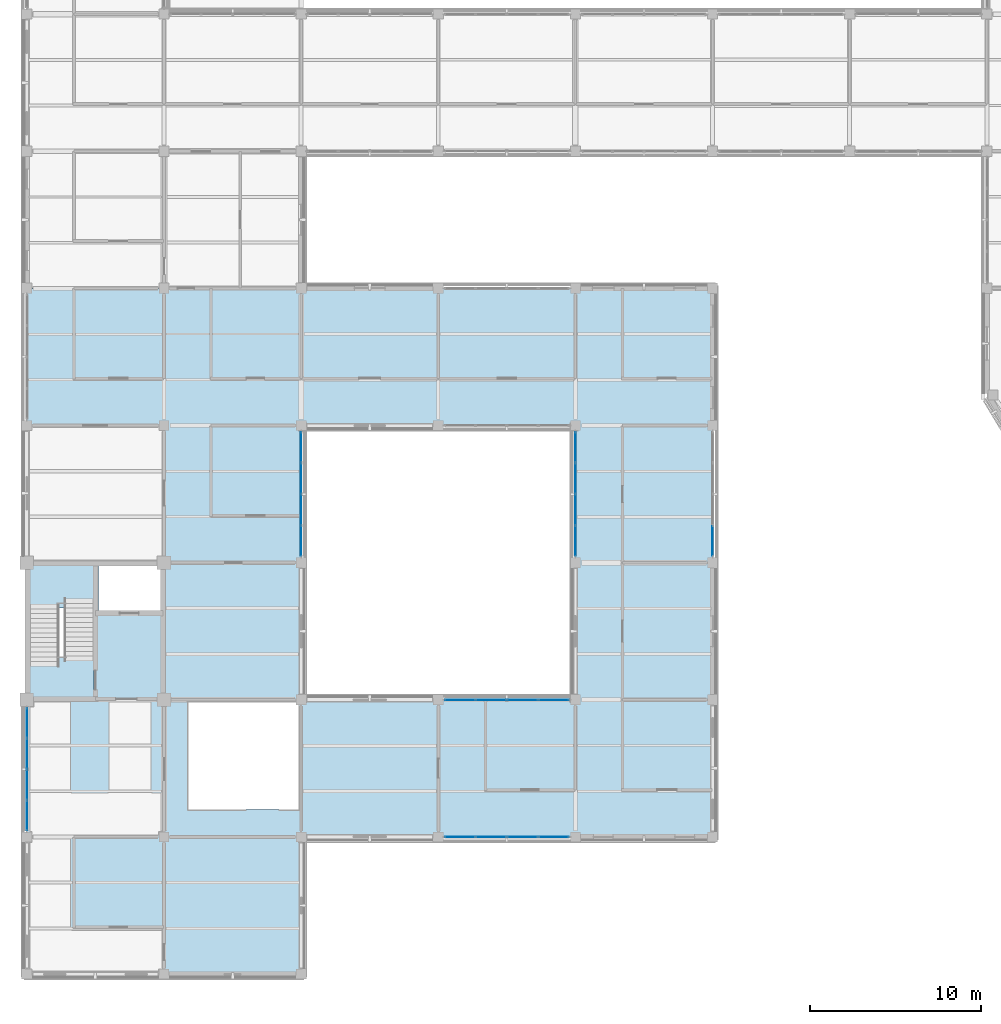
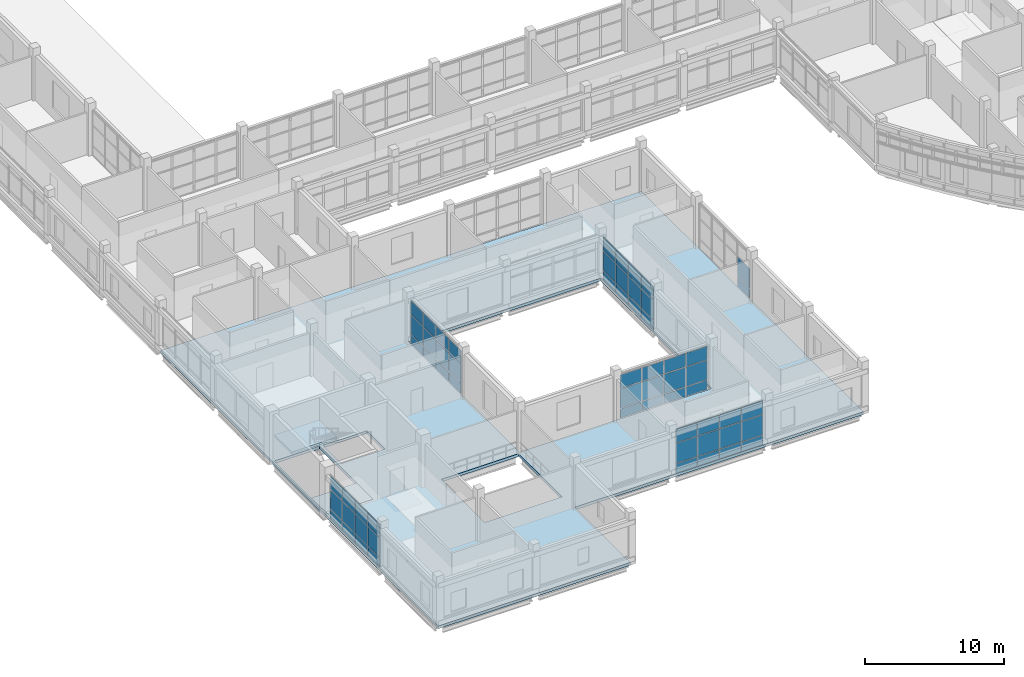
# One storey, part 60 of 121: 62 plates, 3 slabs, 7 elements without a shape of their own.
"""IFC4 building model written with IfcOpenShell, lengths in metres."""

from ifc_helpers import new_model, si_unit, derived_unit, direction, frame, origin, origin_2d, place, context, subcontext, project, spatial, polyline, rectangle, outline, extrude, material, layer, layer_set, type_object, element, aggregate, save


model = new_model("IFC4")

# Units and contexts
model_context = context("Model", 3, precision=1e-05, world=origin(), true_north=direction((0.0, 1.0)))
body_context = subcontext(model_context, "Body", "Model", "MODEL_VIEW")
ifc_project = project(units=[si_unit("LENGTHUNIT", "METRE"), si_unit("AREAUNIT", "SQUARE_METRE"), si_unit("VOLUMEUNIT", "CUBIC_METRE"), si_unit("PLANEANGLEUNIT", "RADIAN"), si_unit("MASSUNIT", "GRAM", prefix="KILO"), derived_unit("THERMALTRANSMITTANCEUNIT", [(si_unit("MASSUNIT", "GRAM", prefix="KILO"), 1), (si_unit("TIMEUNIT", "SECOND"), -3), (si_unit("THERMODYNAMICTEMPERATUREUNIT", "KELVIN"), -1)])], contexts=[model_context])

# Site, building, storey
site_placement = place(None, origin())
site = spatial("IfcSite", under=ifc_project, at=site_placement, CompositionType="ELEMENT")
building_placement = place(site_placement, origin())
building = spatial("IfcBuilding", under=site, at=building_placement, Name="Veyamyaing Civic Hall", CompositionType="ELEMENT")
storey_placement = place(building_placement, frame((0.0, 0.0, 5.280029296875)))
storey = spatial("IfcBuildingStorey", under=building, at=storey_placement, Name="L01", CompositionType="ELEMENT", Elevation=5.280029296875)

# Curtain wall, plates
ifc_material_1 = material(Name="Anodised aluminium 6063-T6", Category="aluminium")
ifc_layer_1 = layer(ifc_material_1, 0.159912109375, Name="Anodised aluminium 6063-T6")
ifc_layer_set_1 = layer_set([ifc_layer_1], Name="Anodised aluminium 6063-T6")
curtain_wall_type = type_object("IfcCurtainWallType", Name="CW-02", PredefinedType="NOTDEFINED", material=ifc_layer_set_1)
curtain_wall_1_placement = place(storey_placement, origin())
curtain_wall_1 = element("IfcCurtainWall", 1, at=curtain_wall_1_placement, inside=storey, type_object=curtain_wall_type, Name="Unitized curtain wall CW-02 L01 E 2.4", PredefinedType="NOTDEFINED")
ifc_material_2 = material(Name="Low-E insulated glass", Category="glass")
ifc_layer_2 = layer(ifc_material_2, 0.028076171875, Name="Low-E insulated glass")
ifc_layer_set_2 = layer_set([ifc_layer_2], Name="Low-E insulated glass")
plate_type_1 = type_object("IfcPlateType", Name="CWP-01", PredefinedType="CURTAIN_PANEL", material=ifc_layer_set_2)
plate_1_placement = place(storey_placement, frame((16.0, 25.263671875, 0.06494140625), z_axis=(0.0, 0.0, 1.0), x_axis=(0.0, 1.0, 0.0)))
plate_1 = element("IfcPlate", 2, at=plate_1_placement, type_object=plate_type_1, Name="CW-02 panel 1.1", PredefinedType="CURTAIN_PANEL", context=body_context, shape_type="SweptSolid", body=[
    extrude(rectangle(XDim=1.737548828125, YDim=0.028076171875, at=origin_2d()), origin(), (0.0, 0.0, 1.0), 0.802490234375),
])
plate_2_placement = place(storey_placement, frame((16.0, 25.263671875, 0.9326171875), z_axis=(0.0, 0.0, 1.0), x_axis=(0.0, 1.0, 0.0)))
plate_2 = element("IfcPlate", 3, at=plate_2_placement, type_object=plate_type_1, Name="CW-02 panel 1.2", PredefinedType="CURTAIN_PANEL", context=body_context, shape_type="SweptSolid", body=[
    extrude(rectangle(XDim=1.737548828125, YDim=0.028076171875, at=origin_2d()), origin(), (0.0, 0.0, 1.0), 1.696533203125),
])
plate_3_placement = place(storey_placement, frame((16.0, 25.263671875, 2.69384765625), z_axis=(0.0, 0.0, 1.0), x_axis=(0.0, 1.0, 0.0)))
plate_3 = element("IfcPlate", 4, at=plate_3_placement, type_object=plate_type_1, Name="CW-02 panel 1.3", PredefinedType="CURTAIN_PANEL", context=body_context, shape_type="SweptSolid", body=[
    extrude(rectangle(XDim=1.737548828125, YDim=0.028076171875, at=origin_2d()), origin(), (0.0, 0.0, 1.0), 1.155029296875),
])
plate_4_placement = place(storey_placement, frame((16.0, 27.08251953125, 0.06494140625), z_axis=(0.0, 0.0, 1.0), x_axis=(0.0, 1.0, 0.0)))
plate_4 = element("IfcPlate", 5, at=plate_4_placement, type_object=plate_type_1, Name="CW-02 panel 2.1", PredefinedType="CURTAIN_PANEL", context=body_context, shape_type="SweptSolid", body=[
    extrude(rectangle(XDim=1.77001953125, YDim=0.028076171875, at=origin_2d()), origin(), (0.0, 0.0, 1.0), 0.802490234375),
])
plate_5_placement = place(storey_placement, frame((16.0, 27.08251953125, 0.9326171875), z_axis=(0.0, 0.0, 1.0), x_axis=(0.0, 1.0, 0.0)))
plate_5 = element("IfcPlate", 6, at=plate_5_placement, type_object=plate_type_1, Name="CW-02 panel 2.2", PredefinedType="CURTAIN_PANEL", context=body_context, shape_type="SweptSolid", body=[
    extrude(rectangle(XDim=1.77001953125, YDim=0.028076171875, at=origin_2d()), origin(), (0.0, 0.0, 1.0), 1.696533203125),
])
plate_6_placement = place(storey_placement, frame((16.0, 27.08251953125, 2.69384765625), z_axis=(0.0, 0.0, 1.0), x_axis=(0.0, 1.0, 0.0)))
plate_6 = element("IfcPlate", 7, at=plate_6_placement, type_object=plate_type_1, Name="CW-02 panel 2.3", PredefinedType="CURTAIN_PANEL", context=body_context, shape_type="SweptSolid", body=[
    extrude(rectangle(XDim=1.77001953125, YDim=0.028076171875, at=origin_2d()), origin(), (0.0, 0.0, 1.0), 1.155029296875),
])
plate_7_placement = place(storey_placement, frame((16.0, 28.91748046875, 0.06494140625), z_axis=(0.0, 0.0, 1.0), x_axis=(0.0, 1.0, 0.0)))
plate_7 = element("IfcPlate", 8, at=plate_7_placement, type_object=plate_type_1, Name="CW-02 panel 3.1", PredefinedType="CURTAIN_PANEL", context=body_context, shape_type="SweptSolid", body=[
    extrude(rectangle(XDim=1.77001953125, YDim=0.028076171875, at=origin_2d()), origin(), (0.0, 0.0, 1.0), 0.802490234375),
])
plate_8_placement = place(storey_placement, frame((16.0, 28.91748046875, 0.9326171875), z_axis=(0.0, 0.0, 1.0), x_axis=(0.0, 1.0, 0.0)))
plate_8 = element("IfcPlate", 9, at=plate_8_placement, type_object=plate_type_1, Name="CW-02 panel 3.2", PredefinedType="CURTAIN_PANEL", context=body_context, shape_type="SweptSolid", body=[
    extrude(rectangle(XDim=1.77001953125, YDim=0.028076171875, at=origin_2d()), origin(), (0.0, 0.0, 1.0), 1.696533203125),
])
plate_9_placement = place(storey_placement, frame((16.0, 28.91748046875, 2.69384765625), z_axis=(0.0, 0.0, 1.0), x_axis=(0.0, 1.0, 0.0)))
plate_9 = element("IfcPlate", 10, at=plate_9_placement, type_object=plate_type_1, Name="CW-02 panel 3.3", PredefinedType="CURTAIN_PANEL", context=body_context, shape_type="SweptSolid", body=[
    extrude(rectangle(XDim=1.77001953125, YDim=0.028076171875, at=origin_2d()), origin(), (0.0, 0.0, 1.0), 1.155029296875),
])
plate_10_placement = place(storey_placement, frame((16.0, 30.736328125, 0.06494140625), z_axis=(0.0, 0.0, 1.0), x_axis=(0.0, 1.0, 0.0)))
plate_10 = element("IfcPlate", 11, at=plate_10_placement, type_object=plate_type_1, Name="CW-02 panel 4.1", PredefinedType="CURTAIN_PANEL", context=body_context, shape_type="SweptSolid", body=[
    extrude(rectangle(XDim=1.737548828125, YDim=0.028076171875, at=origin_2d()), origin(), (0.0, 0.0, 1.0), 0.802490234375),
])
plate_11_placement = place(storey_placement, frame((16.0, 30.736328125, 0.9326171875), z_axis=(0.0, 0.0, 1.0), x_axis=(0.0, 1.0, 0.0)))
plate_11 = element("IfcPlate", 12, at=plate_11_placement, type_object=plate_type_1, Name="CW-02 panel 4.2", PredefinedType="CURTAIN_PANEL", context=body_context, shape_type="SweptSolid", body=[
    extrude(rectangle(XDim=1.737548828125, YDim=0.028076171875, at=origin_2d()), origin(), (0.0, 0.0, 1.0), 1.696533203125),
])
plate_12_placement = place(storey_placement, frame((16.0, 30.736328125, 2.69384765625), z_axis=(0.0, 0.0, 1.0), x_axis=(0.0, 1.0, 0.0)))
plate_12 = element("IfcPlate", 13, at=plate_12_placement, type_object=plate_type_1, Name="CW-02 panel 4.3", PredefinedType="CURTAIN_PANEL", context=body_context, shape_type="SweptSolid", body=[
    extrude(rectangle(XDim=1.737548828125, YDim=0.028076171875, at=origin_2d()), origin(), (0.0, 0.0, 1.0), 1.155029296875),
])
aggregate(curtain_wall_1, [plate_1, plate_2, plate_3, plate_4, plate_5, plate_6, plate_7, plate_8, plate_9, plate_10, plate_11, plate_12])

curtain_wall_2_placement = place(storey_placement, origin())
curtain_wall_2 = element("IfcCurtainWall", 14, at=curtain_wall_2_placement, inside=storey, type_object=curtain_wall_type, Name="Unitized curtain wall CW-02 L01 S 4.2", PredefinedType="NOTDEFINED")
plate_13_placement = place(storey_placement, frame((25.263671875, 8.0, 0.06494140625), z_axis=(0.0, 0.0, 1.0), x_axis=(1.0, 0.0, 0.0)))
plate_13 = element("IfcPlate", 15, at=plate_13_placement, type_object=plate_type_1, Name="CW-02 panel 1.1", PredefinedType="CURTAIN_PANEL", context=body_context, shape_type="SweptSolid", body=[
    extrude(rectangle(XDim=1.737548828125, YDim=0.028076171875, at=origin_2d()), origin(), (0.0, 0.0, 1.0), 0.802490234375),
])
plate_14_placement = place(storey_placement, frame((25.263671875, 8.0, 0.932373046875), z_axis=(0.0, 0.0, 1.0), x_axis=(1.0, 0.0, 0.0)))
plate_14 = element("IfcPlate", 16, at=plate_14_placement, type_object=plate_type_1, Name="CW-02 panel 1.2", PredefinedType="CURTAIN_PANEL", context=body_context, shape_type="SweptSolid", body=[
    extrude(rectangle(XDim=1.737548828125, YDim=0.028076171875, at=origin_2d()), origin(), (0.0, 0.0, 1.0), 1.7373046875),
])
plate_15_placement = place(storey_placement, frame((25.263671875, 8.0, 2.734619140625), z_axis=(0.0, 0.0, 1.0), x_axis=(1.0, 0.0, 0.0)))
plate_15 = element("IfcPlate", 17, at=plate_15_placement, type_object=plate_type_1, Name="CW-02 panel 1.3", PredefinedType="CURTAIN_PANEL", context=body_context, shape_type="SweptSolid", body=[
    extrude(rectangle(XDim=1.737548828125, YDim=0.028076171875, at=origin_2d()), origin(), (0.0, 0.0, 1.0), 1.17431640625),
])
plate_16_placement = place(storey_placement, frame((27.08251953125, 8.0, 0.06494140625), z_axis=(0.0, 0.0, 1.0), x_axis=(1.0, 0.0, 0.0)))
plate_16 = element("IfcPlate", 18, at=plate_16_placement, type_object=plate_type_1, Name="CW-02 panel 2.1", PredefinedType="CURTAIN_PANEL", context=body_context, shape_type="SweptSolid", body=[
    extrude(rectangle(XDim=1.77001953125, YDim=0.028076171875, at=origin_2d()), origin(), (0.0, 0.0, 1.0), 0.802490234375),
])
plate_17_placement = place(storey_placement, frame((27.08251953125, 8.0, 0.932373046875), z_axis=(0.0, 0.0, 1.0), x_axis=(1.0, 0.0, 0.0)))
plate_17 = element("IfcPlate", 19, at=plate_17_placement, type_object=plate_type_1, Name="CW-02 panel 2.2", PredefinedType="CURTAIN_PANEL", context=body_context, shape_type="SweptSolid", body=[
    extrude(rectangle(XDim=1.77001953125, YDim=0.028076171875, at=origin_2d()), origin(), (0.0, 0.0, 1.0), 1.7373046875),
])
plate_18_placement = place(storey_placement, frame((27.08251953125, 8.0, 2.734619140625), z_axis=(0.0, 0.0, 1.0), x_axis=(1.0, 0.0, 0.0)))
plate_18 = element("IfcPlate", 20, at=plate_18_placement, type_object=plate_type_1, Name="CW-02 panel 2.3", PredefinedType="CURTAIN_PANEL", context=body_context, shape_type="SweptSolid", body=[
    extrude(rectangle(XDim=1.77001953125, YDim=0.028076171875, at=origin_2d()), origin(), (0.0, 0.0, 1.0), 1.17431640625),
])
plate_19_placement = place(storey_placement, frame((28.91748046875, 8.0, 0.06494140625), z_axis=(0.0, 0.0, 1.0), x_axis=(1.0, 0.0, 0.0)))
plate_19 = element("IfcPlate", 21, at=plate_19_placement, type_object=plate_type_1, Name="CW-02 panel 3.1", PredefinedType="CURTAIN_PANEL", context=body_context, shape_type="SweptSolid", body=[
    extrude(rectangle(XDim=1.77001953125, YDim=0.028076171875, at=origin_2d()), origin(), (0.0, 0.0, 1.0), 0.802490234375),
])
plate_20_placement = place(storey_placement, frame((28.91748046875, 8.0, 0.932373046875), z_axis=(0.0, 0.0, 1.0), x_axis=(1.0, 0.0, 0.0)))
plate_20 = element("IfcPlate", 22, at=plate_20_placement, type_object=plate_type_1, Name="CW-02 panel 3.2", PredefinedType="CURTAIN_PANEL", context=body_context, shape_type="SweptSolid", body=[
    extrude(rectangle(XDim=1.77001953125, YDim=0.028076171875, at=origin_2d()), origin(), (0.0, 0.0, 1.0), 1.7373046875),
])
plate_21_placement = place(storey_placement, frame((28.91748046875, 8.0, 2.734619140625), z_axis=(0.0, 0.0, 1.0), x_axis=(1.0, 0.0, 0.0)))
plate_21 = element("IfcPlate", 23, at=plate_21_placement, type_object=plate_type_1, Name="CW-02 panel 3.3", PredefinedType="CURTAIN_PANEL", context=body_context, shape_type="SweptSolid", body=[
    extrude(rectangle(XDim=1.77001953125, YDim=0.028076171875, at=origin_2d()), origin(), (0.0, 0.0, 1.0), 1.17431640625),
])
plate_22_placement = place(storey_placement, frame((30.736328125, 8.0, 0.06494140625), z_axis=(0.0, 0.0, 1.0), x_axis=(1.0, 0.0, 0.0)))
plate_22 = element("IfcPlate", 24, at=plate_22_placement, type_object=plate_type_1, Name="CW-02 panel 4.1", PredefinedType="CURTAIN_PANEL", context=body_context, shape_type="SweptSolid", body=[
    extrude(rectangle(XDim=1.737548828125, YDim=0.028076171875, at=origin_2d()), origin(), (0.0, 0.0, 1.0), 0.802490234375),
])
plate_23_placement = place(storey_placement, frame((30.736328125, 8.0, 0.932373046875), z_axis=(0.0, 0.0, 1.0), x_axis=(1.0, 0.0, 0.0)))
plate_23 = element("IfcPlate", 25, at=plate_23_placement, type_object=plate_type_1, Name="CW-02 panel 4.2", PredefinedType="CURTAIN_PANEL", context=body_context, shape_type="SweptSolid", body=[
    extrude(rectangle(XDim=1.737548828125, YDim=0.028076171875, at=origin_2d()), origin(), (0.0, 0.0, 1.0), 1.7373046875),
])
plate_24_placement = place(storey_placement, frame((30.736328125, 8.0, 2.734619140625), z_axis=(0.0, 0.0, 1.0), x_axis=(1.0, 0.0, 0.0)))
plate_24 = element("IfcPlate", 26, at=plate_24_placement, type_object=plate_type_1, Name="CW-02 panel 4.3", PredefinedType="CURTAIN_PANEL", context=body_context, shape_type="SweptSolid", body=[
    extrude(rectangle(XDim=1.737548828125, YDim=0.028076171875, at=origin_2d()), origin(), (0.0, 0.0, 1.0), 1.17431640625),
])
aggregate(curtain_wall_2, [plate_13, plate_14, plate_15, plate_16, plate_17, plate_18, plate_19, plate_20, plate_21, plate_22, plate_23, plate_24])

curtain_wall_3_placement = place(storey_placement, origin())
curtain_wall_3 = element("IfcCurtainWall", 27, at=curtain_wall_3_placement, inside=storey, type_object=curtain_wall_type, Name="Unitized curtain wall CW-02 L01 N 4.2", PredefinedType="NOTDEFINED")
plate_25_placement = place(storey_placement, frame((25.263671875, 16.0, 0.06494140625), z_axis=(0.0, 0.0, 1.0), x_axis=(1.0, 0.0, 0.0)))
plate_25 = element("IfcPlate", 28, at=plate_25_placement, type_object=plate_type_1, Name="CW-02 panel 1.1", PredefinedType="CURTAIN_PANEL", context=body_context, shape_type="SweptSolid", body=[
    extrude(rectangle(XDim=1.737548828125, YDim=0.028076171875, at=origin_2d()), origin(), (0.0, 0.0, 1.0), 0.802490234375),
])
plate_26_placement = place(storey_placement, frame((25.263671875, 16.0, 0.9326171875), z_axis=(0.0, 0.0, 1.0), x_axis=(1.0, 0.0, 0.0)))
plate_26 = element("IfcPlate", 29, at=plate_26_placement, type_object=plate_type_1, Name="CW-02 panel 1.2", PredefinedType="CURTAIN_PANEL", context=body_context, shape_type="SweptSolid", body=[
    extrude(rectangle(XDim=1.737548828125, YDim=0.028076171875, at=origin_2d()), origin(), (0.0, 0.0, 1.0), 1.696533203125),
])
plate_27_placement = place(storey_placement, frame((25.263671875, 16.0, 2.69384765625), z_axis=(0.0, 0.0, 1.0), x_axis=(1.0, 0.0, 0.0)))
plate_27 = element("IfcPlate", 30, at=plate_27_placement, type_object=plate_type_1, Name="CW-02 panel 1.3", PredefinedType="CURTAIN_PANEL", context=body_context, shape_type="SweptSolid", body=[
    extrude(rectangle(XDim=1.737548828125, YDim=0.028076171875, at=origin_2d()), origin(), (0.0, 0.0, 1.0), 1.155029296875),
])
plate_28_placement = place(storey_placement, frame((27.08251953125, 16.0, 0.06494140625), z_axis=(0.0, 0.0, 1.0), x_axis=(1.0, 0.0, 0.0)))
plate_28 = element("IfcPlate", 31, at=plate_28_placement, type_object=plate_type_1, Name="CW-02 panel 2.1", PredefinedType="CURTAIN_PANEL", context=body_context, shape_type="SweptSolid", body=[
    extrude(rectangle(XDim=1.77001953125, YDim=0.028076171875, at=origin_2d()), origin(), (0.0, 0.0, 1.0), 0.802490234375),
])
plate_29_placement = place(storey_placement, frame((27.08251953125, 16.0, 0.9326171875), z_axis=(0.0, 0.0, 1.0), x_axis=(1.0, 0.0, 0.0)))
plate_29 = element("IfcPlate", 32, at=plate_29_placement, type_object=plate_type_1, Name="CW-02 panel 2.2", PredefinedType="CURTAIN_PANEL", context=body_context, shape_type="SweptSolid", body=[
    extrude(rectangle(XDim=1.77001953125, YDim=0.028076171875, at=origin_2d()), origin(), (0.0, 0.0, 1.0), 1.696533203125),
])
plate_30_placement = place(storey_placement, frame((27.08251953125, 16.0, 2.69384765625), z_axis=(0.0, 0.0, 1.0), x_axis=(1.0, 0.0, 0.0)))
plate_30 = element("IfcPlate", 33, at=plate_30_placement, type_object=plate_type_1, Name="CW-02 panel 2.3", PredefinedType="CURTAIN_PANEL", context=body_context, shape_type="SweptSolid", body=[
    extrude(rectangle(XDim=1.77001953125, YDim=0.028076171875, at=origin_2d()), origin(), (0.0, 0.0, 1.0), 1.155029296875),
])
plate_31_placement = place(storey_placement, frame((28.91748046875, 16.0, 0.06494140625), z_axis=(0.0, 0.0, 1.0), x_axis=(1.0, 0.0, 0.0)))
plate_31 = element("IfcPlate", 34, at=plate_31_placement, type_object=plate_type_1, Name="CW-02 panel 3.1", PredefinedType="CURTAIN_PANEL", context=body_context, shape_type="SweptSolid", body=[
    extrude(rectangle(XDim=1.77001953125, YDim=0.028076171875, at=origin_2d()), origin(), (0.0, 0.0, 1.0), 0.802490234375),
])
plate_32_placement = place(storey_placement, frame((28.91748046875, 16.0, 0.9326171875), z_axis=(0.0, 0.0, 1.0), x_axis=(1.0, 0.0, 0.0)))
plate_32 = element("IfcPlate", 35, at=plate_32_placement, type_object=plate_type_1, Name="CW-02 panel 3.2", PredefinedType="CURTAIN_PANEL", context=body_context, shape_type="SweptSolid", body=[
    extrude(rectangle(XDim=1.77001953125, YDim=0.028076171875, at=origin_2d()), origin(), (0.0, 0.0, 1.0), 1.696533203125),
])
plate_33_placement = place(storey_placement, frame((28.91748046875, 16.0, 2.69384765625), z_axis=(0.0, 0.0, 1.0), x_axis=(1.0, 0.0, 0.0)))
plate_33 = element("IfcPlate", 36, at=plate_33_placement, type_object=plate_type_1, Name="CW-02 panel 3.3", PredefinedType="CURTAIN_PANEL", context=body_context, shape_type="SweptSolid", body=[
    extrude(rectangle(XDim=1.77001953125, YDim=0.028076171875, at=origin_2d()), origin(), (0.0, 0.0, 1.0), 1.155029296875),
])
plate_34_placement = place(storey_placement, frame((30.736328125, 16.0, 0.06494140625), z_axis=(0.0, 0.0, 1.0), x_axis=(1.0, 0.0, 0.0)))
plate_34 = element("IfcPlate", 37, at=plate_34_placement, type_object=plate_type_1, Name="CW-02 panel 4.1", PredefinedType="CURTAIN_PANEL", context=body_context, shape_type="SweptSolid", body=[
    extrude(rectangle(XDim=1.737548828125, YDim=0.028076171875, at=origin_2d()), origin(), (0.0, 0.0, 1.0), 0.802490234375),
])
plate_35_placement = place(storey_placement, frame((30.736328125, 16.0, 0.9326171875), z_axis=(0.0, 0.0, 1.0), x_axis=(1.0, 0.0, 0.0)))
plate_35 = element("IfcPlate", 38, at=plate_35_placement, type_object=plate_type_1, Name="CW-02 panel 4.2", PredefinedType="CURTAIN_PANEL", context=body_context, shape_type="SweptSolid", body=[
    extrude(rectangle(XDim=1.737548828125, YDim=0.028076171875, at=origin_2d()), origin(), (0.0, 0.0, 1.0), 1.696533203125),
])
plate_36_placement = place(storey_placement, frame((30.736328125, 16.0, 2.69384765625), z_axis=(0.0, 0.0, 1.0), x_axis=(1.0, 0.0, 0.0)))
plate_36 = element("IfcPlate", 39, at=plate_36_placement, type_object=plate_type_1, Name="CW-02 panel 4.3", PredefinedType="CURTAIN_PANEL", context=body_context, shape_type="SweptSolid", body=[
    extrude(rectangle(XDim=1.737548828125, YDim=0.028076171875, at=origin_2d()), origin(), (0.0, 0.0, 1.0), 1.155029296875),
])
aggregate(curtain_wall_3, [plate_25, plate_26, plate_27, plate_28, plate_29, plate_30, plate_31, plate_32, plate_33, plate_34, plate_35, plate_36])

curtain_wall_4_placement = place(storey_placement, origin())
curtain_wall_4 = element("IfcCurtainWall", 40, at=curtain_wall_4_placement, inside=storey, type_object=curtain_wall_type, Name="Unitized curtain wall CW-02 L01 W 1.2", PredefinedType="NOTDEFINED")
ifc_layer_3 = layer(ifc_material_2, 0.02392578125, Name="Low-E insulated glass")
ifc_layer_set_3 = layer_set([ifc_layer_3], Name="Low-E insulated glass")
plate_type_2 = type_object("IfcPlateType", Name="CWP-04", PredefinedType="CURTAIN_PANEL", material=ifc_layer_set_3)
plate_37_placement = place(storey_placement, frame((0.0, 9.251220703125, 0.06494140625), z_axis=(0.0, 0.0, 1.0), x_axis=(0.0, 1.0, 0.0)))
plate_37 = element("IfcPlate", 41, at=plate_37_placement, type_object=plate_type_2, Name="CW-02 panel 1.1", PredefinedType="CURTAIN_PANEL", context=body_context, shape_type="SweptSolid", body=[
    extrude(rectangle(XDim=1.71240234375, YDim=0.02392578125, at=origin_2d()), origin(), (0.0, 0.0, 1.0), 0.802490234375),
])
plate_38_placement = place(storey_placement, frame((0.0, 9.251220703125, 0.9326171875), z_axis=(0.0, 0.0, 1.0), x_axis=(0.0, 1.0, 0.0)))
plate_38 = element("IfcPlate", 42, at=plate_38_placement, type_object=plate_type_2, Name="CW-02 panel 1.2", PredefinedType="CURTAIN_PANEL", context=body_context, shape_type="SweptSolid", body=[
    extrude(rectangle(XDim=1.71240234375, YDim=0.02392578125, at=origin_2d()), origin(), (0.0, 0.0, 1.0), 1.696533203125),
])
plate_39_placement = place(storey_placement, frame((0.0, 9.251220703125, 2.69384765625), z_axis=(0.0, 0.0, 1.0), x_axis=(0.0, 1.0, 0.0)))
plate_39 = element("IfcPlate", 43, at=plate_39_placement, type_object=plate_type_2, Name="CW-02 panel 1.3", PredefinedType="CURTAIN_PANEL", context=body_context, shape_type="SweptSolid", body=[
    extrude(rectangle(XDim=1.71240234375, YDim=0.02392578125, at=origin_2d()), origin(), (0.0, 0.0, 1.0), 1.155029296875),
])
plate_40_placement = place(storey_placement, frame((0.0, 11.044921875, 0.06494140625), z_axis=(0.0, 0.0, 1.0), x_axis=(0.0, 1.0, 0.0)))
plate_40 = element("IfcPlate", 44, at=plate_40_placement, type_object=plate_type_2, Name="CW-02 panel 2.1", PredefinedType="CURTAIN_PANEL", context=body_context, shape_type="SweptSolid", body=[
    extrude(rectangle(XDim=1.7451171875, YDim=0.02392578125, at=origin_2d()), origin(), (0.0, 0.0, 1.0), 0.802490234375),
])
plate_41_placement = place(storey_placement, frame((0.0, 11.044921875, 0.9326171875), z_axis=(0.0, 0.0, 1.0), x_axis=(0.0, 1.0, 0.0)))
plate_41 = element("IfcPlate", 45, at=plate_41_placement, type_object=plate_type_2, Name="CW-02 panel 2.2", PredefinedType="CURTAIN_PANEL", context=body_context, shape_type="SweptSolid", body=[
    extrude(rectangle(XDim=1.7451171875, YDim=0.02392578125, at=origin_2d()), origin(), (0.0, 0.0, 1.0), 1.696533203125),
])
plate_42_placement = place(storey_placement, frame((0.0, 11.044921875, 2.69384765625), z_axis=(0.0, 0.0, 1.0), x_axis=(0.0, 1.0, 0.0)))
plate_42 = element("IfcPlate", 46, at=plate_42_placement, type_object=plate_type_2, Name="CW-02 panel 2.3", PredefinedType="CURTAIN_PANEL", context=body_context, shape_type="SweptSolid", body=[
    extrude(rectangle(XDim=1.7451171875, YDim=0.02392578125, at=origin_2d()), origin(), (0.0, 0.0, 1.0), 1.155029296875),
])
plate_43_placement = place(storey_placement, frame((0.0, 12.85498046875, 0.06494140625), z_axis=(0.0, 0.0, 1.0), x_axis=(0.0, 1.0, 0.0)))
plate_43 = element("IfcPlate", 47, at=plate_43_placement, type_object=plate_type_2, Name="CW-02 panel 3.1", PredefinedType="CURTAIN_PANEL", context=body_context, shape_type="SweptSolid", body=[
    extrude(rectangle(XDim=1.7451171875, YDim=0.02392578125, at=origin_2d()), origin(), (0.0, 0.0, 1.0), 0.802490234375),
])
plate_44_placement = place(storey_placement, frame((0.0, 12.85498046875, 0.9326171875), z_axis=(0.0, 0.0, 1.0), x_axis=(0.0, 1.0, 0.0)))
plate_44 = element("IfcPlate", 48, at=plate_44_placement, type_object=plate_type_2, Name="CW-02 panel 3.2", PredefinedType="CURTAIN_PANEL", context=body_context, shape_type="SweptSolid", body=[
    extrude(rectangle(XDim=1.7451171875, YDim=0.02392578125, at=origin_2d()), origin(), (0.0, 0.0, 1.0), 1.696533203125),
])
plate_45_placement = place(storey_placement, frame((0.0, 12.85498046875, 2.69384765625), z_axis=(0.0, 0.0, 1.0), x_axis=(0.0, 1.0, 0.0)))
plate_45 = element("IfcPlate", 49, at=plate_45_placement, type_object=plate_type_2, Name="CW-02 panel 3.3", PredefinedType="CURTAIN_PANEL", context=body_context, shape_type="SweptSolid", body=[
    extrude(rectangle(XDim=1.7451171875, YDim=0.02392578125, at=origin_2d()), origin(), (0.0, 0.0, 1.0), 1.155029296875),
])
plate_46_placement = place(storey_placement, frame((0.0, 14.648681640625, 0.06494140625), z_axis=(0.0, 0.0, 1.0), x_axis=(0.0, 1.0, 0.0)))
plate_46 = element("IfcPlate", 50, at=plate_46_placement, type_object=plate_type_2, Name="CW-02 panel 4.1", PredefinedType="CURTAIN_PANEL", context=body_context, shape_type="SweptSolid", body=[
    extrude(rectangle(XDim=1.71240234375, YDim=0.02392578125, at=origin_2d()), origin(), (0.0, 0.0, 1.0), 0.802490234375),
])
plate_47_placement = place(storey_placement, frame((0.0, 14.648681640625, 0.9326171875), z_axis=(0.0, 0.0, 1.0), x_axis=(0.0, 1.0, 0.0)))
plate_47 = element("IfcPlate", 51, at=plate_47_placement, type_object=plate_type_2, Name="CW-02 panel 4.2", PredefinedType="CURTAIN_PANEL", context=body_context, shape_type="SweptSolid", body=[
    extrude(rectangle(XDim=1.71240234375, YDim=0.02392578125, at=origin_2d()), origin(), (0.0, 0.0, 1.0), 1.696533203125),
])
plate_48_placement = place(storey_placement, frame((0.0, 14.648681640625, 2.69384765625), z_axis=(0.0, 0.0, 1.0), x_axis=(0.0, 1.0, 0.0)))
plate_48 = element("IfcPlate", 52, at=plate_48_placement, type_object=plate_type_2, Name="CW-02 panel 4.3", PredefinedType="CURTAIN_PANEL", context=body_context, shape_type="SweptSolid", body=[
    extrude(rectangle(XDim=1.71240234375, YDim=0.02392578125, at=origin_2d()), origin(), (0.0, 0.0, 1.0), 1.155029296875),
])
aggregate(curtain_wall_4, [plate_37, plate_38, plate_39, plate_40, plate_41, plate_42, plate_43, plate_44, plate_45, plate_46, plate_47, plate_48])

curtain_wall_5_placement = place(storey_placement, origin())
curtain_wall_5 = element("IfcCurtainWall", 53, at=curtain_wall_5_placement, inside=storey, type_object=curtain_wall_type, Name="Unitized curtain wall CW-02 L01 W 5.4", PredefinedType="NOTDEFINED")
plate_49_placement = place(storey_placement, frame((32.0, 25.263671875, 0.06494140625), z_axis=(0.0, 0.0, 1.0), x_axis=(0.0, 1.0, 0.0)))
plate_49 = element("IfcPlate", 54, at=plate_49_placement, type_object=plate_type_2, Name="CW-02 panel 1.1", PredefinedType="CURTAIN_PANEL", context=body_context, shape_type="SweptSolid", body=[
    extrude(rectangle(XDim=1.737548828125, YDim=0.02392578125, at=origin_2d()), origin(), (0.0, 0.0, 1.0), 0.802490234375),
])
plate_50_placement = place(storey_placement, frame((32.0, 25.263671875, 0.932373046875), z_axis=(0.0, 0.0, 1.0), x_axis=(0.0, 1.0, 0.0)))
plate_50 = element("IfcPlate", 55, at=plate_50_placement, type_object=plate_type_2, Name="CW-02 panel 1.2", PredefinedType="CURTAIN_PANEL", context=body_context, shape_type="SweptSolid", body=[
    extrude(rectangle(XDim=1.737548828125, YDim=0.02392578125, at=origin_2d()), origin(), (0.0, 0.0, 1.0), 1.69384765625),
])
plate_51_placement = place(storey_placement, frame((32.0, 25.263671875, 2.691162109375), z_axis=(0.0, 0.0, 1.0), x_axis=(0.0, 1.0, 0.0)))
plate_51 = element("IfcPlate", 56, at=plate_51_placement, type_object=plate_type_2, Name="CW-02 panel 1.3", PredefinedType="CURTAIN_PANEL", context=body_context, shape_type="SweptSolid", body=[
    extrude(rectangle(XDim=1.737548828125, YDim=0.02392578125, at=origin_2d()), origin(), (0.0, 0.0, 1.0), 1.15380859375),
])
plate_52_placement = place(storey_placement, frame((32.0, 27.08251953125, 0.06494140625), z_axis=(0.0, 0.0, 1.0), x_axis=(0.0, 1.0, 0.0)))
plate_52 = element("IfcPlate", 57, at=plate_52_placement, type_object=plate_type_2, Name="CW-02 panel 2.1", PredefinedType="CURTAIN_PANEL", context=body_context, shape_type="SweptSolid", body=[
    extrude(rectangle(XDim=1.77001953125, YDim=0.02392578125, at=origin_2d()), origin(), (0.0, 0.0, 1.0), 0.802490234375),
])
plate_53_placement = place(storey_placement, frame((32.0, 27.08251953125, 0.932373046875), z_axis=(0.0, 0.0, 1.0), x_axis=(0.0, 1.0, 0.0)))
plate_53 = element("IfcPlate", 58, at=plate_53_placement, type_object=plate_type_2, Name="CW-02 panel 2.2", PredefinedType="CURTAIN_PANEL", context=body_context, shape_type="SweptSolid", body=[
    extrude(rectangle(XDim=1.77001953125, YDim=0.02392578125, at=origin_2d()), origin(), (0.0, 0.0, 1.0), 1.69384765625),
])
plate_54_placement = place(storey_placement, frame((32.0, 27.08251953125, 2.691162109375), z_axis=(0.0, 0.0, 1.0), x_axis=(0.0, 1.0, 0.0)))
plate_54 = element("IfcPlate", 59, at=plate_54_placement, type_object=plate_type_2, Name="CW-02 panel 2.3", PredefinedType="CURTAIN_PANEL", context=body_context, shape_type="SweptSolid", body=[
    extrude(rectangle(XDim=1.77001953125, YDim=0.02392578125, at=origin_2d()), origin(), (0.0, 0.0, 1.0), 1.15380859375),
])
plate_55_placement = place(storey_placement, frame((32.0, 28.91748046875, 0.06494140625), z_axis=(0.0, 0.0, 1.0), x_axis=(0.0, 1.0, 0.0)))
plate_55 = element("IfcPlate", 60, at=plate_55_placement, type_object=plate_type_2, Name="CW-02 panel 3.1", PredefinedType="CURTAIN_PANEL", context=body_context, shape_type="SweptSolid", body=[
    extrude(rectangle(XDim=1.77001953125, YDim=0.02392578125, at=origin_2d()), origin(), (0.0, 0.0, 1.0), 0.802490234375),
])
plate_56_placement = place(storey_placement, frame((32.0, 28.91748046875, 0.932373046875), z_axis=(0.0, 0.0, 1.0), x_axis=(0.0, 1.0, 0.0)))
plate_56 = element("IfcPlate", 61, at=plate_56_placement, type_object=plate_type_2, Name="CW-02 panel 3.2", PredefinedType="CURTAIN_PANEL", context=body_context, shape_type="SweptSolid", body=[
    extrude(rectangle(XDim=1.77001953125, YDim=0.02392578125, at=origin_2d()), origin(), (0.0, 0.0, 1.0), 1.69384765625),
])
plate_57_placement = place(storey_placement, frame((32.0, 28.91748046875, 2.691162109375), z_axis=(0.0, 0.0, 1.0), x_axis=(0.0, 1.0, 0.0)))
plate_57 = element("IfcPlate", 62, at=plate_57_placement, type_object=plate_type_2, Name="CW-02 panel 3.3", PredefinedType="CURTAIN_PANEL", context=body_context, shape_type="SweptSolid", body=[
    extrude(rectangle(XDim=1.77001953125, YDim=0.02392578125, at=origin_2d()), origin(), (0.0, 0.0, 1.0), 1.15380859375),
])
plate_58_placement = place(storey_placement, frame((32.0, 30.736328125, 0.06494140625), z_axis=(0.0, 0.0, 1.0), x_axis=(0.0, 1.0, 0.0)))
plate_58 = element("IfcPlate", 63, at=plate_58_placement, type_object=plate_type_2, Name="CW-02 panel 4.1", PredefinedType="CURTAIN_PANEL", context=body_context, shape_type="SweptSolid", body=[
    extrude(rectangle(XDim=1.737548828125, YDim=0.02392578125, at=origin_2d()), origin(), (0.0, 0.0, 1.0), 0.802490234375),
])
plate_59_placement = place(storey_placement, frame((32.0, 30.736328125, 0.932373046875), z_axis=(0.0, 0.0, 1.0), x_axis=(0.0, 1.0, 0.0)))
plate_59 = element("IfcPlate", 64, at=plate_59_placement, type_object=plate_type_2, Name="CW-02 panel 4.2", PredefinedType="CURTAIN_PANEL", context=body_context, shape_type="SweptSolid", body=[
    extrude(rectangle(XDim=1.737548828125, YDim=0.02392578125, at=origin_2d()), origin(), (0.0, 0.0, 1.0), 1.69384765625),
])
plate_60_placement = place(storey_placement, frame((32.0, 30.736328125, 2.691162109375), z_axis=(0.0, 0.0, 1.0), x_axis=(0.0, 1.0, 0.0)))
plate_60 = element("IfcPlate", 65, at=plate_60_placement, type_object=plate_type_2, Name="CW-02 panel 4.3", PredefinedType="CURTAIN_PANEL", context=body_context, shape_type="SweptSolid", body=[
    extrude(rectangle(XDim=1.737548828125, YDim=0.02392578125, at=origin_2d()), origin(), (0.0, 0.0, 1.0), 1.15380859375),
])
aggregate(curtain_wall_5, [plate_49, plate_50, plate_51, plate_52, plate_53, plate_54, plate_55, plate_56, plate_57, plate_58, plate_59, plate_60])

curtain_wall_6_placement = place(storey_placement, origin())
curtain_wall_6 = element("IfcCurtainWall", 66, at=curtain_wall_6_placement, inside=storey, type_object=curtain_wall_type, Name="Unitized curtain wall CW-02 L01 E 5.4", PredefinedType="NOTDEFINED")
plate_61_placement = place(storey_placement, frame((40.0, 25.263671875, 0.06494140625), z_axis=(0.0, 0.0, 1.0), x_axis=(0.0, 1.0, 0.0)))
plate_61 = element("IfcPlate", 67, at=plate_61_placement, type_object=plate_type_2, Name="CW-02 panel 1.1", PredefinedType="CURTAIN_PANEL", context=body_context, shape_type="SweptSolid", body=[
    extrude(rectangle(XDim=1.737548828125, YDim=0.02392578125, at=origin_2d()), origin(), (0.0, 0.0, 1.0), 0.802490234375),
])
plate_62_placement = place(storey_placement, frame((40.0, 25.263671875, 0.932373046875), z_axis=(0.0, 0.0, 1.0), x_axis=(0.0, 1.0, 0.0)))
plate_62 = element("IfcPlate", 68, at=plate_62_placement, type_object=plate_type_2, Name="CW-02 panel 1.2", PredefinedType="CURTAIN_PANEL", context=body_context, shape_type="SweptSolid", body=[
    extrude(rectangle(XDim=1.737548828125, YDim=0.02392578125, at=origin_2d()), origin(), (0.0, 0.0, 1.0), 1.7373046875),
])
aggregate(curtain_wall_6, [plate_61, plate_62])

# Slabs
ifc_material_3 = material(Name="Concrete C40/50", Category="concrete")
ifc_layer_4 = layer(ifc_material_3, 0.2451171875, Name="Concrete C40/50")
ifc_layer_set_4 = layer_set([ifc_layer_4], Name="Concrete C40/50")
slab_type_1 = type_object("IfcSlabType", Name="SL-03", PredefinedType="FLOOR", material=ifc_layer_set_4)
slab_1_placement = place(storey_placement, frame((0.0, 0.0, -0.2451171875)))
element("IfcSlab", 69, at=slab_1_placement, inside=storey, type_object=slab_type_1, Name="Floor slab SL-03 L01 V2.1", PredefinedType="FLOOR", context=body_context, shape_type="SweptSolid", body=[
    extrude(outline(polyline([(0.0, 0.0), (0.0, 40.0), (40.0, 40.0), (40.0, 8.0), (16.0, 8.0), (16.0, 0.0), (0.0, 0.0)]), holes=[polyline([(16.0, 16.0), (32.0, 16.0), (32.0, 32.0), (16.0, 32.0), (16.0, 16.0)]), polyline([(15.85009765625, 15.85009765625), (9.419921875, 15.85009765625), (9.419921875, 9.60400390625), (15.85009765625, 9.60400390625), (15.85009765625, 15.85009765625)]), polyline([(3.909912109375, 23.860107421875), (0.139892578125, 23.860107421875), (0.139892578125, 16.139892578125), (3.909912109375, 16.139892578125), (3.909912109375, 23.860107421875)]), polyline([(7.820068359375, 23.820068359375), (4.179931640625, 23.820068359375), (4.179931640625, 21.179931640625), (7.820068359375, 21.179931640625), (7.820068359375, 23.820068359375)])]), origin(), (0.0, 0.0, 1.0), 0.2451171875),
])
ifc_layer_5 = layer(ifc_material_3, 0.199951171875, Name="Concrete C40/50")
ifc_layer_set_5 = layer_set([ifc_layer_5], Name="Concrete C40/50")
slab_type_2 = type_object("IfcSlabType", Name="SL-16", PredefinedType="FLOOR", material=ifc_layer_set_5)
slab_2_placement = place(storey_placement, frame((0.0, 0.0, -0.199951171875)))
element("IfcSlab", 70, at=slab_2_placement, inside=storey, type_object=slab_type_2, Name="Stair floor landing slab SL-16 ST-09 L01", PredefinedType="FLOOR", context=body_context, shape_type="SweptSolid", body=[
    extrude(outline(polyline([(0.139892578125, 16.139892578125), (3.909912109375, 16.139892578125), (3.909912109375, 18.52001953125), (0.139892578125, 18.52001953125), (0.139892578125, 16.139892578125)])), origin(), (0.0, 0.0, 1.0), 0.199951171875),
])

# Stair, slab
stair_type = type_object("IfcStairType", Name="ST-C", PredefinedType="HALF_TURN_STAIR", material=ifc_material_3)
stair_placement = place(storey_placement, origin())
stair = element("IfcStair", 71, at=stair_placement, inside=storey, type_object=stair_type, Name="Protected exit stair ST-09 L01", PredefinedType="HALF_TURN_STAIR")
ifc_layer_6 = layer(ifc_material_3, 0.195068359375, Name="Concrete C40/50")
ifc_layer_set_6 = layer_set([ifc_layer_6], Name="Concrete C40/50")
slab_type_3 = type_object("IfcSlabType", Name="SL-LND", PredefinedType="LANDING", material=ifc_layer_set_6)
slab_3_placement = place(storey_placement, frame((0.0, 0.0, 2.114990234375)))
slab_3 = element("IfcSlab", 72, at=slab_3_placement, type_object=slab_type_3, Name="ST-09 landing 1", PredefinedType="LANDING", context=body_context, shape_type="SweptSolid", body=[
    extrude(outline(polyline([(0.139892578125, 21.35009765625), (3.909912109375, 21.35009765625), (3.909912109375, 23.860107421875), (0.139892578125, 23.860107421875), (0.139892578125, 21.35009765625)])), origin(), (0.0, 0.0, 1.0), 0.195068359375),
])
aggregate(stair, [slab_3])

save(model, "model.ifc")
